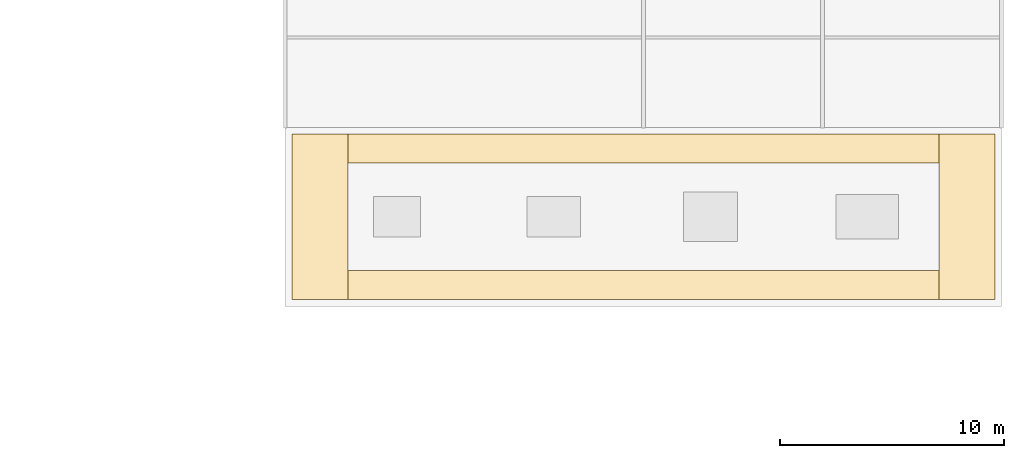
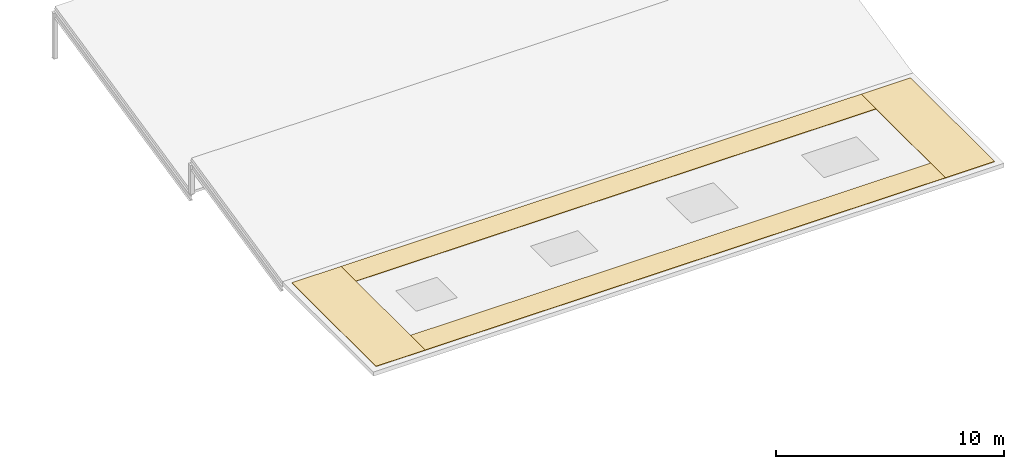
# One storey, part 31 of 31: 4 coverings.
"""IFC4 building model written with IfcOpenShell, lengths in metres."""

import ifcopenshell
import ifcopenshell.guid

model = None  # the IFC model being written
_history = None  # IfcOwnerHistory: only IFC2X3 demands one
_inside = {}  # id of a spatial element -> (the spatial element, [elements in it])
_under = {}  # id of a project, library or spatial element -> (it, [spatial elements below it])
_declared = {}  # id of a project -> (the project, [libraries it declares])
_typed = {}  # id of a type object -> (the type object, [elements of that type])
_made_of = {}  # id of a material, layer set ... -> (it, [elements and type objects made of it])


def new_model(schema):
    """Start an empty IFC model of exactly this schema.

    Asked for "IFC4X3", IfcOpenShell would pick the latest addendum, in which some entities
    have other attributes; the version numbers below select the first issue.
    IFC2X3 requires an IfcOwnerHistory on every rooted entity: one is made here for all.
    """
    global model, _history
    if schema == "IFC4X3":
        model = ifcopenshell.file(schema_version=(4, 3, 0, 0))
    else:
        model = ifcopenshell.file(schema=schema)
    _inside.clear()
    _under.clear()
    _declared.clear()
    _typed.clear()
    _made_of.clear()
    _history = None
    if model.schema == "IFC2X3":
        org = make("IfcOrganization", Name="unknown")
        user = make(
            "IfcPersonAndOrganization",
            ThePerson=make("IfcPerson", FamilyName="unknown"),
            TheOrganization=org,
        )
        app = make(
            "IfcApplication",
            ApplicationDeveloper=org,
            Version="unknown",
            ApplicationFullName="unknown",
            ApplicationIdentifier="unknown",
        )
        _history = make(
            "IfcOwnerHistory",
            OwningUser=user,
            OwningApplication=app,
            ChangeAction="ADDED",
            CreationDate=0,
        )
    return model


def make(cls, **values):
    """One entity of the class cls with the attributes given. An attribute that is None is left unset."""
    return model.create_entity(
        cls, **{name: value for name, value in values.items() if value is not None}
    )


def rooted(cls, **values):
    """An entity with a GlobalId (a new one), such as an element, a storey or a relation."""
    return make(cls, GlobalId=ifcopenshell.guid.new(), OwnerHistory=_history, **values)


def si_unit(unit_type, name, prefix=None):
    """IfcSIUnit, for example si_unit("LENGTHUNIT", "METRE", prefix="MILLI")."""
    return make("IfcSIUnit", UnitType=unit_type, Prefix=prefix, Name=name)


def assignment(units):
    """IfcUnitAssignment: the units of a project."""
    return None if units is None else make("IfcUnitAssignment", Units=units)


def point(xyz):
    """IfcCartesianPoint."""
    return None if xyz is None else make("IfcCartesianPoint", Coordinates=xyz)


def direction(xyz):
    """IfcDirection."""
    return None if xyz is None else make("IfcDirection", DirectionRatios=xyz)


def frame(location, z_axis=None, x_axis=None):
    """IfcAxis2Placement3D, a coordinate frame: its origin and axes. An axis left out is left unset."""
    return make(
        "IfcAxis2Placement3D",
        Location=point(location),
        Axis=direction(z_axis),
        RefDirection=direction(x_axis),
    )


def origin():
    """The frame at (0, 0, 0) with its axes left unset."""
    return frame((0.0, 0.0, 0.0))


def place(relative_to, where):
    """IfcLocalPlacement: puts the frame where relative to a parent placement (None: the world)."""
    return make(
        "IfcLocalPlacement", PlacementRelTo=relative_to, RelativePlacement=where
    )


def context(
    kind, dimensions, precision=None, world=None, true_north=None, identifier=None
):
    """IfcGeometricRepresentationContext, for example the 3D "Model" context."""
    return make(
        "IfcGeometricRepresentationContext",
        ContextIdentifier=identifier,
        ContextType=kind,
        CoordinateSpaceDimension=dimensions,
        Precision=precision,
        WorldCoordinateSystem=world,
        TrueNorth=true_north,
    )


def subcontext(parent, identifier, kind, view, scale=None):
    """IfcGeometricRepresentationSubContext, for example "Body" below "Model"."""
    return make(
        "IfcGeometricRepresentationSubContext",
        ContextIdentifier=identifier,
        ContextType=kind,
        ParentContext=parent,
        TargetScale=scale,
        TargetView=view,
    )


def project(units=None, contexts=None):
    """IfcProject with its units and contexts."""
    return rooted(
        "IfcProject",
        Name="project",
        RepresentationContexts=contexts,
        UnitsInContext=assignment(units),
    )


def spatial(cls, under=None, at=None, **own):
    """A site, building, storey or space (cls), placed at a placement, below another one or the project."""
    s = rooted(cls, ObjectPlacement=at, **own)
    if under is not None:
        _under.setdefault(under.id(), (under, []))[1].append(s)
    return s


def polyline(points):
    """IfcPolyline through the points."""
    return make("IfcPolyline", Points=[point(p) for p in points])


def outline(outer, holes=None, kind="AREA"):
    """IfcArbitraryClosedProfileDef: a profile drawn as a closed curve; with holes, ...WithVoids."""
    if holes is None:
        return make("IfcArbitraryClosedProfileDef", ProfileType=kind, OuterCurve=outer)
    return make(
        "IfcArbitraryProfileDefWithVoids",
        ProfileType=kind,
        OuterCurve=outer,
        InnerCurves=holes,
    )


def extrude(swept, where, along, depth):
    """IfcExtrudedAreaSolid: the profile swept, set in the frame where, extruded along a direction by depth."""
    return make(
        "IfcExtrudedAreaSolid",
        SweptArea=swept,
        Position=where,
        ExtrudedDirection=direction(along),
        Depth=depth,
    )


def shape(context_of_items, identifier, shape_type, items):
    """IfcShapeRepresentation: the items that make up one representation, for example the "Body"."""
    return make(
        "IfcShapeRepresentation",
        ContextOfItems=context_of_items,
        RepresentationIdentifier=identifier,
        RepresentationType=shape_type,
        Items=items,
    )


def material(Name=None, Category=None):
    """IfcMaterial."""
    return make("IfcMaterial", Name=Name, Category=Category)


def layer(
    of_material, thickness, ventilated=None, Name=None, Category=None, Priority=None
):
    """IfcMaterialLayer: one layer of a wall or slab, of a material (None: an air gap)."""
    return make(
        "IfcMaterialLayer",
        Material=of_material,
        LayerThickness=thickness,
        IsVentilated=ventilated,
        Name=Name,
        Category=Category,
        Priority=Priority,
    )


def layer_set(layers, Name=None):
    """IfcMaterialLayerSet."""
    return make("IfcMaterialLayerSet", MaterialLayers=layers, LayerSetName=Name)


def made_of(thing, what):
    """Note that an element or type object is made of a material, layer set ...; save() writes the relation."""
    if what is not None:
        _made_of.setdefault(what.id(), (what, []))[1].append(thing)
    return thing


def type_object(cls, material=None, **own):
    """A type object (cls), such as IfcWallType, which elements share."""
    return made_of(rooted(cls, **own), material)


def element(
    cls,
    number,
    at=None,
    inside=None,
    cuts=None,
    type_object=None,
    material=None,
    context=None,
    identifier="Body",
    shape_type=None,
    held_by="IfcProductDefinitionShape",
    body=None,
    shapes=None,
    **own,
):
    """One element of the class cls, such as IfcWall. Its Tag is "e" and its number.

    at: its placement. inside: the storey or other place that contains it. cuts: it is an
    opening in that element (IfcRelVoidsElement). A single representation is given by context,
    identifier, shape_type and body (its items); several are given by shapes. held_by: the class
    of the entity that holds the representations. save() writes the other relations.
    """
    e = rooted(cls, Tag="e%d" % number, ObjectPlacement=at, **own)
    if body is not None:
        shapes = [shape(context, identifier, shape_type, body)]
    if shapes is not None:
        e.Representation = make(held_by, Representations=shapes)
    if inside is not None:
        _inside.setdefault(inside.id(), (inside, []))[1].append(e)
    if cuts is not None:
        rooted(
            "IfcRelVoidsElement", RelatingBuildingElement=cuts, RelatedOpeningElement=e
        )
    if type_object is not None:
        _typed.setdefault(type_object.id(), (type_object, []))[1].append(e)
    return made_of(e, material)


def aggregate(whole, parts):
    """IfcRelAggregates: a whole, such as a stair, and the parts it consists of."""
    return rooted("IfcRelAggregates", RelatingObject=whole, RelatedObjects=parts)


def save(model, path):
    """Write the relations noted so far, then the file.

    IfcRelAggregates (storeys below a building ...), IfcRelContainedInSpatialStructure (elements
    in a storey), IfcRelDefinesByType, IfcRelAssociatesMaterial and IfcRelDeclares: one each for
    every whole, place, type object, material and project.
    """
    for whole, parts in _under.values():
        aggregate(whole, parts)
    for where, things in _inside.values():
        rooted(
            "IfcRelContainedInSpatialStructure",
            RelatedElements=things,
            RelatingStructure=where,
        )
    for kind, things in _typed.values():
        rooted("IfcRelDefinesByType", RelatedObjects=things, RelatingType=kind)
    for what, things in _made_of.values():
        rooted("IfcRelAssociatesMaterial", RelatedObjects=things, RelatingMaterial=what)
    for by, libraries in _declared.values():
        rooted("IfcRelDeclares", RelatingContext=by, RelatedDefinitions=libraries)
    model.write(path)


model = new_model("IFC4")

# Units and contexts
model_context = context("Model", 3, precision=1e-05, world=origin(), true_north=direction((0.0, 1.0)))
body_context = subcontext(model_context, "Body", "Model", "MODEL_VIEW")
ifc_project = project(units=[si_unit("LENGTHUNIT", "METRE"), si_unit("AREAUNIT", "SQUARE_METRE"), si_unit("VOLUMEUNIT", "CUBIC_METRE"), si_unit("PLANEANGLEUNIT", "RADIAN"), si_unit("MASSUNIT", "GRAM", prefix="KILO")], contexts=[model_context])

# Site, building, storey
site_placement = place(None, origin())
site = spatial("IfcSite", under=ifc_project, at=site_placement, CompositionType="ELEMENT")
building_placement = place(site_placement, origin())
building = spatial("IfcBuilding", under=site, at=building_placement, Name="Celadon Cloister-Ring School", CompositionType="ELEMENT")
storey_placement = place(building_placement, frame((0.0, 0.0, 16.5)))
storey = spatial("IfcBuildingStorey", under=building, at=storey_placement, Name="L04", CompositionType="ELEMENT", Elevation=16.5)

# Coverings
ifc_material = material(Name="Standing-seam fluoropolymer aluminium sheet", Category="aluminium")
ifc_layer = layer(ifc_material, 0.02490234375)
ifc_layer_set = layer_set([ifc_layer], Name="Standing-seam fluoropolymer aluminium sheet")
covering_type = type_object("IfcCoveringType", Name="CV-RF1", PredefinedType="ROOFING", material=ifc_layer_set)
covering_1_placement = place(storey_placement, origin())
element("IfcCovering", 1, at=covering_1_placement, inside=storey, type_object=covering_type, Name="Celadon Standing-Seam Roofing 0706", PredefinedType="ROOFING", context=body_context, shape_type="SweptSolid", body=[
    extrude(outline(polyline([(142.300048828125, 32.300048828125), (144.800048828125, 32.300048828125), (144.800048828125, 39.699951171875), (142.300048828125, 39.699951171875), (142.300048828125, 32.300048828125)])), origin(), (0.0, 0.0, 1.0), 0.02490234375),
])
covering_2_placement = place(storey_placement, origin())
element("IfcCovering", 2, at=covering_2_placement, inside=storey, type_object=covering_type, Name="Celadon Standing-Seam Roofing 0707", PredefinedType="ROOFING", context=body_context, shape_type="SweptSolid", body=[
    extrude(outline(polyline([(171.199951171875, 32.300048828125), (173.699951171875, 32.300048828125), (173.699951171875, 39.699951171875), (171.199951171875, 39.699951171875), (171.199951171875, 32.300048828125)])), origin(), (0.0, 0.0, 1.0), 0.02490234375),
])
covering_3_placement = place(storey_placement, origin())
element("IfcCovering", 3, at=covering_3_placement, inside=storey, type_object=covering_type, Name="Celadon Standing-Seam Roofing 0708", PredefinedType="ROOFING", context=body_context, shape_type="SweptSolid", body=[
    extrude(outline(polyline([(142.300048828125, 32.300048828125), (173.699951171875, 32.300048828125), (173.699951171875, 33.60009765625), (142.300048828125, 33.60009765625), (142.300048828125, 32.300048828125)])), origin(), (0.0, 0.0, 1.0), 0.02490234375),
])
covering_4_placement = place(storey_placement, origin())
element("IfcCovering", 4, at=covering_4_placement, inside=storey, type_object=covering_type, Name="Celadon Standing-Seam Roofing 0709", PredefinedType="ROOFING", context=body_context, shape_type="SweptSolid", body=[
    extrude(outline(polyline([(142.300048828125, 38.39990234375), (173.699951171875, 38.39990234375), (173.699951171875, 39.699951171875), (142.300048828125, 39.699951171875), (142.300048828125, 38.39990234375)])), origin(), (0.0, 0.0, 1.0), 0.02490234375),
])

save(model, "model.ifc")
